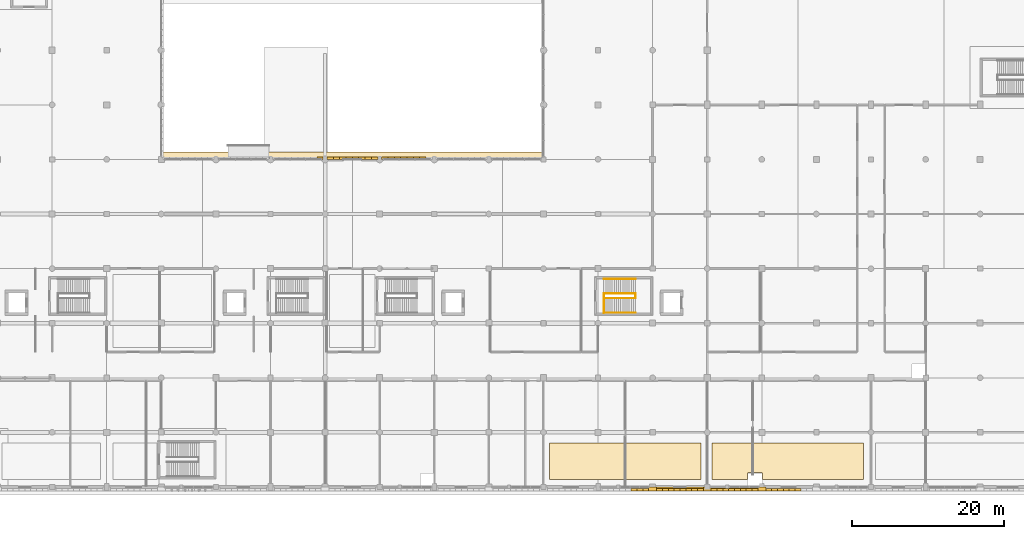
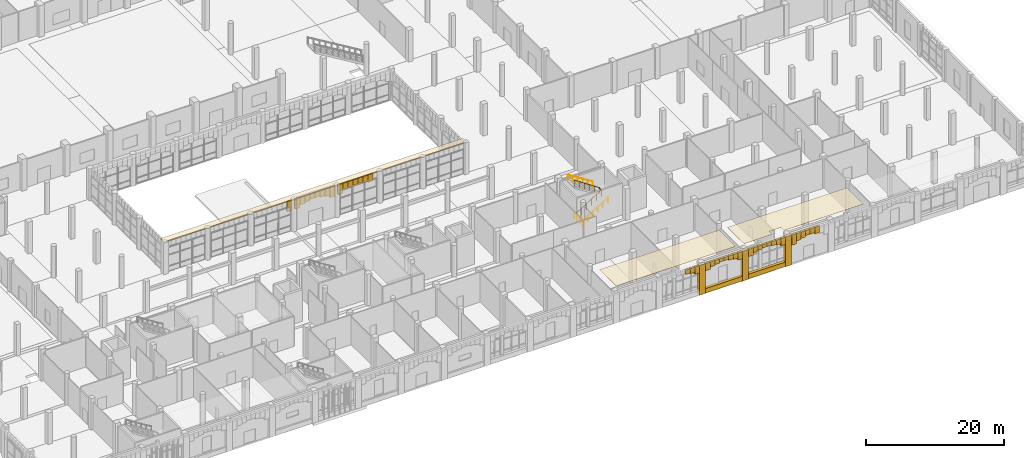
# One storey, part 73 of 85: 49 coverings, 4 railings.
"""IFC4 building model written with IfcOpenShell, lengths in metres."""

from ifc_helpers import new_model, si_unit, direction, frame, frame_2d, origin, origin_2d, place, context, subcontext, project, spatial, polyline, rectangle, circle, outline, extrude, material, layer, layer_set, type_object, element, save


model = new_model("IFC4")

# Units and contexts
model_context = context("Model", 3, precision=1e-05, world=origin(), true_north=direction((0.0, 1.0)))
body_context = subcontext(model_context, "Body", "Model", "MODEL_VIEW")
ifc_project = project(units=[si_unit("LENGTHUNIT", "METRE"), si_unit("AREAUNIT", "SQUARE_METRE"), si_unit("VOLUMEUNIT", "CUBIC_METRE"), si_unit("PLANEANGLEUNIT", "RADIAN"), si_unit("MASSUNIT", "GRAM", prefix="KILO")], contexts=[model_context])

# Site, building, storey
site_placement = place(None, origin())
site = spatial("IfcSite", under=ifc_project, at=site_placement, CompositionType="ELEMENT")
building_placement = place(site_placement, origin())
building = spatial("IfcBuilding", under=site, at=building_placement, Name="Sardonyx Promenade Sports Hall", CompositionType="ELEMENT")
storey_placement = place(building_placement, origin())
storey = spatial("IfcBuildingStorey", under=building, at=storey_placement, Name="L00", CompositionType="ELEMENT", Elevation=0.0)

# Coverings
ifc_material_1 = material(Name="Perforated acoustic mineral-fibre baffle ceiling", Category="other")
ifc_layer_1 = layer(ifc_material_1, 0.0400390625)
ifc_layer_set_1 = layer_set([ifc_layer_1], Name="Cov_Ceil_Acoustic")
covering_type_1 = type_object("IfcCoveringType", Name="Cov_Ceil_Acoustic", PredefinedType="CEILING", material=ifc_layer_set_1)
covering_1_placement = place(storey_placement, frame((0.0, 0.0, 5.280029296875)))
element("IfcCovering", 1, at=covering_1_placement, inside=storey, type_object=covering_type_1, Name="Acoustic baffle ceiling CLG1 L00 #3", PredefinedType="CEILING", context=body_context, shape_type="SweptSolid", body=[
    extrude(outline(polyline([(94.39990234375, 5.800048828125), (94.39990234375, 1.0), (114.39990234375, 1.0), (114.39990234375, 5.800048828125), (94.39990234375, 5.800048828125)])), origin(), (0.0, 0.0, 1.0), 0.0400390625),
])
covering_2_placement = place(storey_placement, frame((0.0, 0.0, 5.280029296875)))
element("IfcCovering", 2, at=covering_2_placement, inside=storey, type_object=covering_type_1, Name="Acoustic baffle ceiling CLG1 L00 #4", PredefinedType="CEILING", context=body_context, shape_type="SweptSolid", body=[
    extrude(outline(polyline([(115.800048828125, 5.800048828125), (115.800048828125, 1.0), (120.52001953125, 1.0), (120.52001953125, 1.7919921875), (120.520263671875, 1.798828125), (120.521484375, 1.8076171875), (120.523681640625, 1.816162109375), (120.52685546875, 1.824462890625), (120.530517578125, 1.83251953125), (120.53515625, 1.840087890625), (120.540283203125, 1.84716796875), (120.54638671875, 1.853759765625), (120.552734375, 1.859619140625), (120.559814453125, 1.864990234375), (120.5673828125, 1.869384765625), (120.575439453125, 1.873291015625), (120.583740234375, 1.876220703125), (120.59228515625, 1.87841796875), (120.601318359375, 1.879638671875), (120.60791015625, 1.8798828125), (122.39208984375, 1.8798828125), (122.398681640625, 1.879638671875), (122.40771484375, 1.87841796875), (122.416259765625, 1.876220703125), (122.424560546875, 1.873291015625), (122.4326171875, 1.869384765625), (122.440185546875, 1.864990234375), (122.447265625, 1.859619140625), (122.45361328125, 1.853759765625), (122.459716796875, 1.84716796875), (122.46484375, 1.840087890625), (122.469482421875, 1.83251953125), (122.47314453125, 1.824462890625), (122.476318359375, 1.816162109375), (122.478515625, 1.8076171875), (122.479736328125, 1.798828125), (122.47998046875, 1.7919921875), (122.47998046875, 1.0), (135.800048828125, 1.0), (135.800048828125, 5.800048828125), (115.800048828125, 5.800048828125)])), origin(), (0.0, 0.0, 1.0), 0.0400390625),
])
ifc_material_2 = material(Name="Dressed Cape red sandstone cornice", Category="masonry")
ifc_layer_2 = layer(ifc_material_2, 0.139892578125)
ifc_layer_set_2 = layer_set([ifc_layer_2], Name="Cov_Chhajja_Eave")
covering_type_2 = type_object("IfcCoveringType", Name="Cov_Chhajja_Eave", PredefinedType="MOLDING", material=ifc_layer_set_2)
covering_3_placement = place(storey_placement, frame((0.0, 0.0, 5.35009765625)))
element("IfcCovering", 3, at=covering_3_placement, inside=storey, type_object=covering_type_2, Name="Charbagh courtyard south chhajja eave L00", PredefinedType="MOLDING", context=body_context, shape_type="SweptSolid", body=[
    extrude(outline(polyline([(43.10009765625, 43.14990234375), (93.699951171875, 43.14990234375), (93.699951171875, 44.199951171875), (43.10009765625, 44.199951171875), (43.10009765625, 43.14990234375)])), origin(), (0.0, 0.0, 1.0), 0.179931640625),
])
ifc_material_3 = material(Name="Dressed Cape red sandstone ashlar", Category="masonry")
ifc_layer_3 = layer(ifc_material_3, 0.06005859375)
ifc_layer_set_3 = layer_set([ifc_layer_3], Name="Cov_Cladding_Sandstone")
covering_type_3 = type_object("IfcCoveringType", Name="Cov_Cladding_Sandstone", PredefinedType="CLADDING", material=ifc_layer_set_3)
covering_4_placement = place(storey_placement, origin())
element("IfcCovering", 4, at=covering_4_placement, inside=storey, type_object=covering_type_3, Name="South sandstone bay pier casing L00 #15", PredefinedType="CLADDING", context=body_context, shape_type="SweptSolid", body=[
    extrude(outline(polyline([(107.47998046875, -0.52001953125), (108.52001953125, -0.52001953125), (108.52001953125, 0.02001953125), (107.47998046875, 0.02001953125), (107.47998046875, -0.52001953125)])), origin(), (0.0, 0.0, 1.0), 5.25),
])
covering_5_placement = place(storey_placement, origin())
element("IfcCovering", 5, at=covering_5_placement, inside=storey, type_object=covering_type_3, Name="South sandstone bay pier casing L00 #16", PredefinedType="CLADDING", context=body_context, shape_type="SweptSolid", body=[
    extrude(outline(polyline([(114.679931640625, -0.52001953125), (115.719970703125, -0.52001953125), (115.719970703125, 0.02001953125), (114.679931640625, 0.02001953125), (114.679931640625, -0.52001953125)])), origin(), (0.0, 0.0, 1.0), 5.25),
])
covering_6_placement = place(storey_placement, origin())
element("IfcCovering", 6, at=covering_6_placement, inside=storey, type_object=covering_type_3, Name="South sandstone bay pier casing L00 #17", PredefinedType="CLADDING", context=body_context, shape_type="SweptSolid", body=[
    extrude(outline(polyline([(121.8798828125, -0.52001953125), (122.919921875, -0.52001953125), (122.919921875, 0.02001953125), (121.8798828125, 0.02001953125), (121.8798828125, -0.52001953125)])), origin(), (0.0, 0.0, 1.0), 5.25),
])
covering_7_placement = place(storey_placement, origin())
element("IfcCovering", 7, at=covering_7_placement, inside=storey, type_object=covering_type_3, Name="South sandstone sill spandrel L00 #6", PredefinedType="CLADDING", context=body_context, shape_type="SweptSolid", body=[
    extrude(outline(polyline([(115.719970703125, -0.4599609375), (121.8798828125, -0.4599609375), (121.8798828125, 0.02001953125), (115.719970703125, 0.02001953125), (115.719970703125, -0.4599609375)])), origin(), (0.0, 0.0, 1.0), 0.820068359375),
])
covering_8_placement = place(storey_placement, origin())
element("IfcCovering", 8, at=covering_8_placement, inside=storey, type_object=covering_type_3, Name="South sandstone sill spandrel L00 #7", PredefinedType="CLADDING", context=body_context, shape_type="SweptSolid", body=[
    extrude(outline(polyline([(108.52001953125, -0.4599609375), (114.679931640625, -0.4599609375), (114.679931640625, 0.02001953125), (108.52001953125, 0.02001953125), (108.52001953125, -0.4599609375)])), origin(), (0.0, 0.0, 1.0), 0.820068359375),
])
ifc_material_4 = material(Name="Carved Cape red sandstone ashlar", Category="masonry")
ifc_layer_4 = layer(ifc_material_4, 0.239990234375)
ifc_layer_set_4 = layer_set([ifc_layer_4], Name="Cov_Mughal_Arch")
covering_type_4 = type_object("IfcCoveringType", Name="Cov_Mughal_Arch", PredefinedType="CLADDING", material=ifc_layer_set_4)
covering_9_placement = place(storey_placement, frame((63.71240234375, 43.35009765625, 3.584716796875), z_axis=(0.0, 0.0, 1.0), x_axis=(1.0, 0.0, 0.0)))
element("IfcCovering", 9, at=covering_9_placement, inside=storey, type_object=covering_type_4, Name="Mughal pointed-arch spandrel L00 cov:rq:S:L00:2 #8", PredefinedType="CLADDING", context=body_context, shape_type="SweptSolid", body=[
    extrude(rectangle(XDim=0.837646484375, YDim=0.280029296875, at=frame_2d((0.4189453125, 0.0))), origin(), (0.0, 0.0, 1.0), 1.765380859375),
])
covering_10_placement = place(storey_placement, frame((65.050048828125, 43.35009765625, 3.584716796875), z_axis=(0.0, 0.0, 1.0), x_axis=(1.0, 0.0, 0.0)))
element("IfcCovering", 10, at=covering_10_placement, inside=storey, type_object=covering_type_4, Name="Mughal pointed-arch spandrel L00 cov:rq:S:L00:3 #1", PredefinedType="CLADDING", context=body_context, shape_type="SweptSolid", body=[
    extrude(rectangle(XDim=0.83740234375, YDim=0.280029296875, at=frame_2d((0.418701171875, 0.0))), origin(), (0.0, 0.0, 1.0), 1.765380859375),
])
covering_11_placement = place(storey_placement, frame((65.887451171875, 43.35009765625, 4.041748046875), z_axis=(0.0, 0.0, 1.0), x_axis=(1.0, 0.0, 0.0)))
element("IfcCovering", 11, at=covering_11_placement, inside=storey, type_object=covering_type_4, Name="Mughal pointed-arch spandrel L00 cov:rq:S:L00:3 #2", PredefinedType="CLADDING", context=body_context, shape_type="SweptSolid", body=[
    extrude(rectangle(XDim=0.837646484375, YDim=0.280029296875, at=frame_2d((0.4189453125, 0.0))), origin(), (0.0, 0.0, 1.0), 1.308349609375),
])
covering_12_placement = place(storey_placement, frame((66.72509765625, 43.35009765625, 4.212158203125), z_axis=(0.0, 0.0, 1.0), x_axis=(1.0, 0.0, 0.0)))
element("IfcCovering", 12, at=covering_12_placement, inside=storey, type_object=covering_type_4, Name="Mughal pointed-arch spandrel L00 cov:rq:S:L00:3 #3", PredefinedType="CLADDING", context=body_context, shape_type="SweptSolid", body=[
    extrude(rectangle(XDim=0.83740234375, YDim=0.280029296875, at=frame_2d((0.418701171875, 0.0))), origin(), (0.0, 0.0, 1.0), 1.137939453125),
])
covering_13_placement = place(storey_placement, frame((67.5625, 43.35009765625, 4.429931640625), z_axis=(0.0, 0.0, 1.0), x_axis=(1.0, 0.0, 0.0)))
element("IfcCovering", 13, at=covering_13_placement, inside=storey, type_object=covering_type_4, Name="Mughal pointed-arch spandrel L00 cov:rq:S:L00:3 #4", PredefinedType="CLADDING", context=body_context, shape_type="SweptSolid", body=[
    extrude(rectangle(XDim=0.83740234375, YDim=0.280029296875, at=frame_2d((0.418701171875, 0.0))), origin(), (0.0, 0.0, 1.0), 0.920166015625),
])
covering_14_placement = place(storey_placement, frame((68.39990234375, 43.35009765625, 4.429931640625), z_axis=(0.0, 0.0, 1.0), x_axis=(1.0, 0.0, 0.0)))
element("IfcCovering", 14, at=covering_14_placement, inside=storey, type_object=covering_type_4, Name="Mughal pointed-arch spandrel L00 cov:rq:S:L00:3 #5", PredefinedType="CLADDING", context=body_context, shape_type="SweptSolid", body=[
    extrude(rectangle(XDim=0.837646484375, YDim=0.280029296875, at=frame_2d((0.4189453125, 0.0))), origin(), (0.0, 0.0, 1.0), 0.920166015625),
])
covering_15_placement = place(storey_placement, frame((69.237548828125, 43.35009765625, 4.212158203125), z_axis=(0.0, 0.0, 1.0), x_axis=(1.0, 0.0, 0.0)))
element("IfcCovering", 15, at=covering_15_placement, inside=storey, type_object=covering_type_4, Name="Mughal pointed-arch spandrel L00 cov:rq:S:L00:3 #6", PredefinedType="CLADDING", context=body_context, shape_type="SweptSolid", body=[
    extrude(rectangle(XDim=0.83740234375, YDim=0.280029296875, at=frame_2d((0.418701171875, 0.0))), origin(), (0.0, 0.0, 1.0), 1.137939453125),
])
covering_16_placement = place(storey_placement, frame((70.074951171875, 43.35009765625, 4.041748046875), z_axis=(0.0, 0.0, 1.0), x_axis=(1.0, 0.0, 0.0)))
element("IfcCovering", 16, at=covering_16_placement, inside=storey, type_object=covering_type_4, Name="Mughal pointed-arch spandrel L00 cov:rq:S:L00:3 #7", PredefinedType="CLADDING", context=body_context, shape_type="SweptSolid", body=[
    extrude(rectangle(XDim=0.837646484375, YDim=0.280029296875, at=frame_2d((0.4189453125, 0.0))), origin(), (0.0, 0.0, 1.0), 1.308349609375),
])
for number, where, z_axis, x_axis, name in (
    (17, (70.91259765625, 43.35009765625, 3.584716796875), (0.0, 0.0, 1.0), (1.0, 0.0, 0.0), "Mughal pointed-arch spandrel L00 cov:rq:S:L00:3 #8"),
    (18, (72.25, 43.35009765625, 3.584716796875), (0.0, 0.0, 1.0), (1.0, 0.0, 0.0), "Mughal pointed-arch spandrel L00 cov:rq:S:L00:4 #1"),
):
    element("IfcCovering", number, at=place(storey_placement, frame(where, z_axis=z_axis, x_axis=x_axis)), inside=storey, type_object=covering_type_4, Name=name, PredefinedType="CLADDING", context=body_context, shape_type="SweptSolid", body=[
        extrude(rectangle(XDim=0.83740234375, YDim=0.280029296875, at=frame_2d((0.418701171875, 0.0))), origin(), (0.0, 0.0, 1.0), 1.765380859375),
    ])
covering_17_placement = place(storey_placement, frame((73.08740234375, 43.35009765625, 4.041748046875), z_axis=(0.0, 0.0, 1.0), x_axis=(1.0, 0.0, 0.0)))
element("IfcCovering", 19, at=covering_17_placement, inside=storey, type_object=covering_type_4, Name="Mughal pointed-arch spandrel L00 cov:rq:S:L00:4 #2", PredefinedType="CLADDING", context=body_context, shape_type="SweptSolid", body=[
    extrude(rectangle(XDim=0.837646484375, YDim=0.280029296875, at=frame_2d((0.4189453125, 0.0))), origin(), (0.0, 0.0, 1.0), 1.308349609375),
])
covering_18_placement = place(storey_placement, frame((73.925048828125, 43.35009765625, 4.212158203125), z_axis=(0.0, 0.0, 1.0), x_axis=(1.0, 0.0, 0.0)))
element("IfcCovering", 20, at=covering_18_placement, inside=storey, type_object=covering_type_4, Name="Mughal pointed-arch spandrel L00 cov:rq:S:L00:4 #3", PredefinedType="CLADDING", context=body_context, shape_type="SweptSolid", body=[
    extrude(rectangle(XDim=0.83740234375, YDim=0.280029296875, at=frame_2d((0.418701171875, 0.0))), origin(), (0.0, 0.0, 1.0), 1.137939453125),
])
covering_19_placement = place(storey_placement, frame((74.762451171875, 43.35009765625, 4.429931640625), z_axis=(0.0, 0.0, 1.0), x_axis=(1.0, 0.0, 0.0)))
element("IfcCovering", 21, at=covering_19_placement, inside=storey, type_object=covering_type_4, Name="Mughal pointed-arch spandrel L00 cov:rq:S:L00:4 #4", PredefinedType="CLADDING", context=body_context, shape_type="SweptSolid", body=[
    extrude(rectangle(XDim=0.837646484375, YDim=0.280029296875, at=frame_2d((0.4189453125, 0.0))), origin(), (0.0, 0.0, 1.0), 0.920166015625),
])
covering_20_placement = place(storey_placement, frame((75.60009765625, 43.35009765625, 4.429931640625), z_axis=(0.0, 0.0, 1.0), x_axis=(1.0, 0.0, 0.0)))
element("IfcCovering", 22, at=covering_20_placement, inside=storey, type_object=covering_type_4, Name="Mughal pointed-arch spandrel L00 cov:rq:S:L00:4 #5", PredefinedType="CLADDING", context=body_context, shape_type="SweptSolid", body=[
    extrude(rectangle(XDim=0.83740234375, YDim=0.280029296875, at=frame_2d((0.418701171875, 0.0))), origin(), (0.0, 0.0, 1.0), 0.920166015625),
])
covering_21_placement = place(storey_placement, frame((76.4375, 43.35009765625, 4.212158203125), z_axis=(0.0, 0.0, 1.0), x_axis=(1.0, 0.0, 0.0)))
element("IfcCovering", 23, at=covering_21_placement, inside=storey, type_object=covering_type_4, Name="Mughal pointed-arch spandrel L00 cov:rq:S:L00:4 #6", PredefinedType="CLADDING", context=body_context, shape_type="SweptSolid", body=[
    extrude(rectangle(XDim=0.83740234375, YDim=0.280029296875, at=frame_2d((0.418701171875, 0.0))), origin(), (0.0, 0.0, 1.0), 1.137939453125),
])
covering_22_placement = place(storey_placement, frame((77.27490234375, 43.35009765625, 4.041748046875), z_axis=(0.0, 0.0, 1.0), x_axis=(1.0, 0.0, 0.0)))
element("IfcCovering", 24, at=covering_22_placement, inside=storey, type_object=covering_type_4, Name="Mughal pointed-arch spandrel L00 cov:rq:S:L00:4 #7", PredefinedType="CLADDING", context=body_context, shape_type="SweptSolid", body=[
    extrude(rectangle(XDim=0.837646484375, YDim=0.280029296875, at=frame_2d((0.4189453125, 0.0))), origin(), (0.0, 0.0, 1.0), 1.308349609375),
])
covering_23_placement = place(storey_placement, frame((122.919921875, -0.360107421875, 3.463134765625), z_axis=(0.0, 0.0, 1.0), x_axis=(1.0, 0.0, 0.0)))
element("IfcCovering", 25, at=covering_23_placement, inside=storey, type_object=covering_type_4, Name="Mughal pointed-arch spandrel L00 cov:sdoorarch:05 #1", PredefinedType="CLADDING", context=body_context, shape_type="SweptSolid", body=[
    extrude(rectangle(XDim=0.77001953125, YDim=0.360107421875, at=frame_2d((0.385009765625, 0.0))), origin(), (0.0, 0.0, 1.0), 1.786865234375),
])
covering_24_placement = place(storey_placement, frame((123.68994140625, -0.360107421875, 3.9541015625), z_axis=(0.0, 0.0, 1.0), x_axis=(1.0, 0.0, 0.0)))
element("IfcCovering", 26, at=covering_24_placement, inside=storey, type_object=covering_type_4, Name="Mughal pointed-arch spandrel L00 cov:sdoorarch:05 #2", PredefinedType="CLADDING", context=body_context, shape_type="SweptSolid", body=[
    extrude(rectangle(XDim=0.77001953125, YDim=0.360107421875, at=frame_2d((0.385009765625, 0.0))), origin(), (0.0, 0.0, 1.0), 1.2958984375),
])
covering_25_placement = place(storey_placement, frame((124.4599609375, -0.360107421875, 4.13720703125), z_axis=(0.0, 0.0, 1.0), x_axis=(1.0, 0.0, 0.0)))
element("IfcCovering", 27, at=covering_25_placement, inside=storey, type_object=covering_type_4, Name="Mughal pointed-arch spandrel L00 cov:sdoorarch:05 #3", PredefinedType="CLADDING", context=body_context, shape_type="SweptSolid", body=[
    extrude(rectangle(XDim=0.77001953125, YDim=0.360107421875, at=frame_2d((0.385009765625, 0.0))), origin(), (0.0, 0.0, 1.0), 1.11279296875),
])
for number, where, z_axis, x_axis, name in (
    (28, (125.22998046875, -0.360107421875, 4.37109375), (0.0, 0.0, 1.0), (1.0, 0.0, 0.0), "Mughal pointed-arch spandrel L00 cov:sdoorarch:05 #4"),
    (29, (126.0, -0.360107421875, 4.37109375), (0.0, 0.0, 1.0), (1.0, 0.0, 0.0), "Mughal pointed-arch spandrel L00 cov:sdoorarch:05 #5"),
):
    element("IfcCovering", number, at=place(storey_placement, frame(where, z_axis=z_axis, x_axis=x_axis)), inside=storey, type_object=covering_type_4, Name=name, PredefinedType="CLADDING", context=body_context, shape_type="SweptSolid", body=[
        extrude(rectangle(XDim=0.77001953125, YDim=0.360107421875, at=frame_2d((0.385009765625, 0.0))), origin(), (0.0, 0.0, 1.0), 0.87890625),
    ])
covering_26_placement = place(storey_placement, frame((126.77001953125, -0.360107421875, 4.13720703125), z_axis=(0.0, 0.0, 1.0), x_axis=(1.0, 0.0, 0.0)))
element("IfcCovering", 30, at=covering_26_placement, inside=storey, type_object=covering_type_4, Name="Mughal pointed-arch spandrel L00 cov:sdoorarch:05 #6", PredefinedType="CLADDING", context=body_context, shape_type="SweptSolid", body=[
    extrude(rectangle(XDim=0.77001953125, YDim=0.360107421875, at=frame_2d((0.385009765625, 0.0))), origin(), (0.0, 0.0, 1.0), 1.11279296875),
])
covering_27_placement = place(storey_placement, frame((115.719970703125, -0.360107421875, 3.977783203125), z_axis=(0.0, 0.0, 1.0), x_axis=(1.0, 0.0, 0.0)))
element("IfcCovering", 31, at=covering_27_placement, inside=storey, type_object=covering_type_4, Name="Mughal pointed-arch spandrel L00 cov:sl00arch:06 #1", PredefinedType="CLADDING", context=body_context, shape_type="SweptSolid", body=[
    extrude(rectangle(XDim=0.77001953125, YDim=0.340087890625, at=frame_2d((0.385009765625, 0.0))), origin(), (0.0, 0.0, 1.0), 1.272216796875),
])
covering_28_placement = place(storey_placement, frame((116.489990234375, -0.360107421875, 4.3671875), z_axis=(0.0, 0.0, 1.0), x_axis=(1.0, 0.0, 0.0)))
element("IfcCovering", 32, at=covering_28_placement, inside=storey, type_object=covering_type_4, Name="Mughal pointed-arch spandrel L00 cov:sl00arch:06 #2", PredefinedType="CLADDING", context=body_context, shape_type="SweptSolid", body=[
    extrude(rectangle(XDim=0.77001953125, YDim=0.340087890625, at=frame_2d((0.385009765625, 0.0))), origin(), (0.0, 0.0, 1.0), 0.8828125),
])
covering_29_placement = place(storey_placement, frame((117.260009765625, -0.360107421875, 4.51220703125), z_axis=(0.0, 0.0, 1.0), x_axis=(1.0, 0.0, 0.0)))
element("IfcCovering", 33, at=covering_29_placement, inside=storey, type_object=covering_type_4, Name="Mughal pointed-arch spandrel L00 cov:sl00arch:06 #3", PredefinedType="CLADDING", context=body_context, shape_type="SweptSolid", body=[
    extrude(rectangle(XDim=0.77001953125, YDim=0.340087890625, at=frame_2d((0.385009765625, 0.0))), origin(), (0.0, 0.0, 1.0), 0.73779296875),
])
for number, where, z_axis, x_axis, name in (
    (34, (118.030029296875, -0.360107421875, 4.69775390625), (0.0, 0.0, 1.0), (1.0, 0.0, 0.0), "Mughal pointed-arch spandrel L00 cov:sl00arch:06 #4"),
    (35, (118.800048828125, -0.360107421875, 4.69775390625), (0.0, 0.0, 1.0), (1.0, 0.0, 0.0), "Mughal pointed-arch spandrel L00 cov:sl00arch:06 #5"),
):
    element("IfcCovering", number, at=place(storey_placement, frame(where, z_axis=z_axis, x_axis=x_axis)), inside=storey, type_object=covering_type_4, Name=name, PredefinedType="CLADDING", context=body_context, shape_type="SweptSolid", body=[
        extrude(rectangle(XDim=0.77001953125, YDim=0.340087890625, at=frame_2d((0.385009765625, 0.0))), origin(), (0.0, 0.0, 1.0), 0.55224609375),
    ])
covering_30_placement = place(storey_placement, frame((119.570068359375, -0.360107421875, 4.51220703125), z_axis=(0.0, 0.0, 1.0), x_axis=(1.0, 0.0, 0.0)))
element("IfcCovering", 36, at=covering_30_placement, inside=storey, type_object=covering_type_4, Name="Mughal pointed-arch spandrel L00 cov:sl00arch:06 #6", PredefinedType="CLADDING", context=body_context, shape_type="SweptSolid", body=[
    extrude(rectangle(XDim=0.77001953125, YDim=0.340087890625, at=frame_2d((0.385009765625, 0.0))), origin(), (0.0, 0.0, 1.0), 0.73779296875),
])
covering_31_placement = place(storey_placement, frame((120.340087890625, -0.360107421875, 4.3671875), z_axis=(0.0, 0.0, 1.0), x_axis=(1.0, 0.0, 0.0)))
element("IfcCovering", 37, at=covering_31_placement, inside=storey, type_object=covering_type_4, Name="Mughal pointed-arch spandrel L00 cov:sl00arch:06 #7", PredefinedType="CLADDING", context=body_context, shape_type="SweptSolid", body=[
    extrude(rectangle(XDim=0.77001953125, YDim=0.340087890625, at=frame_2d((0.385009765625, 0.0))), origin(), (0.0, 0.0, 1.0), 0.8828125),
])
covering_32_placement = place(storey_placement, frame((121.110107421875, -0.360107421875, 3.977783203125), z_axis=(0.0, 0.0, 1.0), x_axis=(1.0, 0.0, 0.0)))
element("IfcCovering", 38, at=covering_32_placement, inside=storey, type_object=covering_type_4, Name="Mughal pointed-arch spandrel L00 cov:sl00arch:06 #8", PredefinedType="CLADDING", context=body_context, shape_type="SweptSolid", body=[
    extrude(rectangle(XDim=0.769775390625, YDim=0.340087890625, at=frame_2d((0.384765625, 0.0))), origin(), (0.0, 0.0, 1.0), 1.272216796875),
])
covering_33_placement = place(storey_placement, frame((108.52001953125, -0.360107421875, 3.977783203125), z_axis=(0.0, 0.0, 1.0), x_axis=(1.0, 0.0, 0.0)))
element("IfcCovering", 39, at=covering_33_placement, inside=storey, type_object=covering_type_4, Name="Mughal pointed-arch spandrel L00 cov:sl00arch:07 #1", PredefinedType="CLADDING", context=body_context, shape_type="SweptSolid", body=[
    extrude(rectangle(XDim=0.77001953125, YDim=0.340087890625, at=frame_2d((0.385009765625, 0.0))), origin(), (0.0, 0.0, 1.0), 1.272216796875),
])
covering_34_placement = place(storey_placement, frame((109.2900390625, -0.360107421875, 4.3671875), z_axis=(0.0, 0.0, 1.0), x_axis=(1.0, 0.0, 0.0)))
element("IfcCovering", 40, at=covering_34_placement, inside=storey, type_object=covering_type_4, Name="Mughal pointed-arch spandrel L00 cov:sl00arch:07 #2", PredefinedType="CLADDING", context=body_context, shape_type="SweptSolid", body=[
    extrude(rectangle(XDim=0.77001953125, YDim=0.340087890625, at=frame_2d((0.385009765625, 0.0))), origin(), (0.0, 0.0, 1.0), 0.8828125),
])
covering_35_placement = place(storey_placement, frame((110.06005859375, -0.360107421875, 4.51220703125), z_axis=(0.0, 0.0, 1.0), x_axis=(1.0, 0.0, 0.0)))
element("IfcCovering", 41, at=covering_35_placement, inside=storey, type_object=covering_type_4, Name="Mughal pointed-arch spandrel L00 cov:sl00arch:07 #3", PredefinedType="CLADDING", context=body_context, shape_type="SweptSolid", body=[
    extrude(rectangle(XDim=0.77001953125, YDim=0.340087890625, at=frame_2d((0.385009765625, 0.0))), origin(), (0.0, 0.0, 1.0), 0.73779296875),
])
for number, where, z_axis, x_axis, name in (
    (42, (110.830078125, -0.360107421875, 4.69775390625), (0.0, 0.0, 1.0), (1.0, 0.0, 0.0), "Mughal pointed-arch spandrel L00 cov:sl00arch:07 #4"),
    (43, (111.60009765625, -0.360107421875, 4.69775390625), (0.0, 0.0, 1.0), (1.0, 0.0, 0.0), "Mughal pointed-arch spandrel L00 cov:sl00arch:07 #5"),
):
    element("IfcCovering", number, at=place(storey_placement, frame(where, z_axis=z_axis, x_axis=x_axis)), inside=storey, type_object=covering_type_4, Name=name, PredefinedType="CLADDING", context=body_context, shape_type="SweptSolid", body=[
        extrude(rectangle(XDim=0.77001953125, YDim=0.340087890625, at=frame_2d((0.385009765625, 0.0))), origin(), (0.0, 0.0, 1.0), 0.55224609375),
    ])
covering_36_placement = place(storey_placement, frame((112.3701171875, -0.360107421875, 4.51220703125), z_axis=(0.0, 0.0, 1.0), x_axis=(1.0, 0.0, 0.0)))
element("IfcCovering", 44, at=covering_36_placement, inside=storey, type_object=covering_type_4, Name="Mughal pointed-arch spandrel L00 cov:sl00arch:07 #6", PredefinedType="CLADDING", context=body_context, shape_type="SweptSolid", body=[
    extrude(rectangle(XDim=0.769775390625, YDim=0.340087890625, at=frame_2d((0.384765625, 0.0))), origin(), (0.0, 0.0, 1.0), 0.73779296875),
])
covering_37_placement = place(storey_placement, frame((113.139892578125, -0.360107421875, 4.3671875), z_axis=(0.0, 0.0, 1.0), x_axis=(1.0, 0.0, 0.0)))
element("IfcCovering", 45, at=covering_37_placement, inside=storey, type_object=covering_type_4, Name="Mughal pointed-arch spandrel L00 cov:sl00arch:07 #7", PredefinedType="CLADDING", context=body_context, shape_type="SweptSolid", body=[
    extrude(rectangle(XDim=0.77001953125, YDim=0.340087890625, at=frame_2d((0.385009765625, 0.0))), origin(), (0.0, 0.0, 1.0), 0.8828125),
])
covering_38_placement = place(storey_placement, frame((113.909912109375, -0.360107421875, 3.977783203125), z_axis=(0.0, 0.0, 1.0), x_axis=(1.0, 0.0, 0.0)))
element("IfcCovering", 46, at=covering_38_placement, inside=storey, type_object=covering_type_4, Name="Mughal pointed-arch spandrel L00 cov:sl00arch:07 #8", PredefinedType="CLADDING", context=body_context, shape_type="SweptSolid", body=[
    extrude(rectangle(XDim=0.77001953125, YDim=0.340087890625, at=frame_2d((0.385009765625, 0.0))), origin(), (0.0, 0.0, 1.0), 1.272216796875),
])
covering_39_placement = place(storey_placement, frame((105.169921875, -0.360107421875, 4.51220703125), z_axis=(0.0, 0.0, 1.0), x_axis=(1.0, 0.0, 0.0)))
element("IfcCovering", 47, at=covering_39_placement, inside=storey, type_object=covering_type_4, Name="Mughal pointed-arch spandrel L00 cov:sl00arch:08 #6", PredefinedType="CLADDING", context=body_context, shape_type="SweptSolid", body=[
    extrude(rectangle(XDim=0.77001953125, YDim=0.340087890625, at=frame_2d((0.385009765625, 0.0))), origin(), (0.0, 0.0, 1.0), 0.73779296875),
])
covering_40_placement = place(storey_placement, frame((105.93994140625, -0.360107421875, 4.3671875), z_axis=(0.0, 0.0, 1.0), x_axis=(1.0, 0.0, 0.0)))
element("IfcCovering", 48, at=covering_40_placement, inside=storey, type_object=covering_type_4, Name="Mughal pointed-arch spandrel L00 cov:sl00arch:08 #7", PredefinedType="CLADDING", context=body_context, shape_type="SweptSolid", body=[
    extrude(rectangle(XDim=0.77001953125, YDim=0.340087890625, at=frame_2d((0.385009765625, 0.0))), origin(), (0.0, 0.0, 1.0), 0.8828125),
])
covering_41_placement = place(storey_placement, frame((106.7099609375, -0.360107421875, 3.977783203125), z_axis=(0.0, 0.0, 1.0), x_axis=(1.0, 0.0, 0.0)))
element("IfcCovering", 49, at=covering_41_placement, inside=storey, type_object=covering_type_4, Name="Mughal pointed-arch spandrel L00 cov:sl00arch:08 #8", PredefinedType="CLADDING", context=body_context, shape_type="SweptSolid", body=[
    extrude(rectangle(XDim=0.77001953125, YDim=0.340087890625, at=frame_2d((0.385009765625, 0.0))), origin(), (0.0, 0.0, 1.0), 1.272216796875),
])

# Railings
ifc_material_5 = material(Name="Powder-coated Steel S355JR", Category="steel")
railing_type_1 = type_object("IfcRailingType", Name="Rail_Int_Guard_1100", PredefinedType="GUARDRAIL", material=ifc_material_5)
railing_1_placement = place(storey_placement, frame((101.56005859375, 22.945068359375, 0.0)))
element("IfcRailing", 50, at=railing_1_placement, inside=storey, type_object=railing_type_1, Name="Stair floor-edge guard ST2 L00", PredefinedType="GUARDRAIL", context=body_context, shape_type="SweptSolid", body=[
    extrude(circle(Radius=0.02392578125, at=origin_2d()), frame((0.0, 0.0, 1.09619140625), z_axis=(0.0, 1.0, 0.0), x_axis=(-1.0, 0.0, 0.0)), (0.0, 0.0, 1.0), 2.56982421875),
    extrude(circle(Radius=0.02392578125, at=origin_2d()), frame((0.0, 2.56982421875, 1.09619140625), z_axis=(-1.0, 0.0, 0.0), x_axis=(0.0, -1.0, 0.0)), (0.0, 0.0, 1.0), 0.010009765625),
    extrude(circle(Radius=0.02099609375, at=origin_2d()), origin(), (0.0, 0.0, 1.0), 1.072021484375),
    extrude(circle(Radius=0.02099609375, at=origin_2d()), frame((0.0, 0.856689453125, 0.0)), (0.0, 0.0, 1.0), 1.072021484375),
    extrude(circle(Radius=0.02099609375, at=origin_2d()), frame((0.0, 1.713134765625, 0.0)), (0.0, 0.0, 1.0), 1.072021484375),
    extrude(circle(Radius=0.02099609375, at=origin_2d()), frame((0.0, 2.56982421875, 0.0)), (0.0, 0.0, 1.0), 1.072021484375),
    extrude(circle(Radius=0.02099609375, at=origin_2d()), frame((-0.010009765625, 2.56982421875, 0.0)), (0.0, 0.0, 1.0), 1.072021484375),
])
railing_2_placement = place(storey_placement, frame((101.550048828125, 24.885009765625, 0.175048828125)))
element("IfcRailing", 51, at=railing_2_placement, inside=storey, type_object=railing_type_1, Name="Stair inner well guard ST2 L00", PredefinedType="GUARDRAIL", context=body_context, shape_type="SweptSolid", body=[
    extrude(circle(Radius=0.02392578125, at=origin_2d()), frame((0.0, 0.0, 1.09619140625), z_axis=(0.846854242419, 0.0, 0.531825057794), x_axis=(0.0, 1.0, 0.0)), (0.0, 0.0, 1.0), 4.935791015625),
    extrude(circle(Radius=0.02392578125, at=origin_2d()), frame((4.179931640625, 0.0, 3.72119140625), z_axis=(0.0, 1.0, 0.0), x_axis=(-1.0, 0.0, 0.0)), (0.0, 0.0, 1.0), 0.6298828125),
    extrude(circle(Radius=0.02392578125, at=origin_2d()), frame((4.179931640625, 0.6298828125, 3.72119140625), z_axis=(-0.830816424754, 0.0, 0.556546555429), x_axis=(0.0, -1.0, 0.0)), (0.0, 0.0, 1.0), 5.031005859375),
    extrude(circle(Radius=0.02099609375, at=origin_2d()), origin(), (0.0, 0.0, 1.0), 1.072021484375),
    extrude(circle(Radius=0.02099609375, at=origin_2d()), frame((0.8359375, 0.0, 0.52490234375)), (0.0, 0.0, 1.0), 1.072021484375),
    extrude(circle(Radius=0.02099609375, at=origin_2d()), frame((1.671875, 0.0, 1.050048828125)), (0.0, 0.0, 1.0), 1.072021484375),
    extrude(circle(Radius=0.02099609375, at=origin_2d()), frame((2.508056640625, 0.0, 1.574951171875)), (0.0, 0.0, 1.0), 1.072021484375),
    extrude(circle(Radius=0.02099609375, at=origin_2d()), frame((3.343994140625, 0.0, 2.10009765625)), (0.0, 0.0, 1.0), 1.072021484375),
    extrude(circle(Radius=0.02099609375, at=origin_2d()), frame((4.179931640625, 0.0, 2.625)), (0.0, 0.0, 1.0), 1.072021484375),
    extrude(circle(Radius=0.02099609375, at=origin_2d()), frame((4.179931640625, 0.6298828125, 2.625)), (0.0, 0.0, 1.0), 1.072021484375),
    extrude(circle(Radius=0.02099609375, at=origin_2d()), frame((3.343994140625, 0.6298828125, 3.18505859375)), (0.0, 0.0, 1.0), 1.072021484375),
    extrude(circle(Radius=0.02099609375, at=origin_2d()), frame((2.508056640625, 0.6298828125, 3.7451171875)), (0.0, 0.0, 1.0), 1.072021484375),
    extrude(circle(Radius=0.02099609375, at=origin_2d()), frame((1.671875, 0.6298828125, 4.304931640625)), (0.0, 0.0, 1.0), 1.072021484375),
    extrude(circle(Radius=0.02099609375, at=origin_2d()), frame((0.8359375, 0.6298828125, 4.864990234375)), (0.0, 0.0, 1.0), 1.072021484375),
    extrude(circle(Radius=0.02099609375, at=origin_2d()), frame((0.0, 0.6298828125, 5.425048828125)), (0.0, 0.0, 1.0), 1.072021484375),
])
ifc_material_6 = material(Name="Brushed stainless steel Grade 304", Category="steel")
railing_type_2 = type_object("IfcRailingType", Name="Rail_Int_Handrail_900", PredefinedType="HANDRAIL", material=ifc_material_6)
railing_3_placement = place(storey_placement, frame((101.550048828125, 22.97509765625, 0.175048828125)))
element("IfcRailing", 52, at=railing_3_placement, inside=storey, type_object=railing_type_2, Name="Stair handrail ST2 L00 F1", PredefinedType="HANDRAIL", context=body_context, shape_type="SweptSolid", body=[
    extrude(circle(Radius=0.02392578125, at=origin_2d()), frame((0.0, 0.0, 0.8759765625), z_axis=(0.847995534698, 0.0, 0.530003370869), x_axis=(0.0, 1.0, 0.0)), (0.0, 0.0, 1.0), 4.952880859375),
    extrude(circle(Radius=0.02099609375, at=origin_2d()), origin(), (0.0, 0.0, 1.0), 0.851806640625),
    extrude(circle(Radius=0.02099609375, at=origin_2d()), frame((0.840087890625, 0.0, 0.52490234375)), (0.0, 0.0, 1.0), 0.851806640625),
    extrude(circle(Radius=0.02099609375, at=origin_2d()), frame((1.679931640625, 0.0, 1.050048828125)), (0.0, 0.0, 1.0), 0.851806640625),
    extrude(circle(Radius=0.02099609375, at=origin_2d()), frame((2.52001953125, 0.0, 1.574951171875)), (0.0, 0.0, 1.0), 0.851806640625),
    extrude(circle(Radius=0.02099609375, at=origin_2d()), frame((3.35986328125, 0.0, 2.10009765625)), (0.0, 0.0, 1.0), 0.851806640625),
    extrude(circle(Radius=0.02099609375, at=origin_2d()), frame((4.199951171875, 0.0, 2.625)), (0.0, 0.0, 1.0), 0.851806640625),
])
railing_4_placement = place(storey_placement, frame((105.75, 27.425048828125, 2.97509765625)))
element("IfcRailing", 53, at=railing_4_placement, inside=storey, type_object=railing_type_2, Name="Stair handrail ST2 L00 F2", PredefinedType="HANDRAIL", context=body_context, shape_type="SweptSolid", body=[
    extrude(circle(Radius=0.02392578125, at=origin_2d()), frame((0.0, 0.0, 0.8759765625), z_axis=(-0.847995534698, 0.0, 0.530003370869), x_axis=(0.0, -1.0, 0.0)), (0.0, 0.0, 1.0), 4.952880859375),
    extrude(circle(Radius=0.02099609375, at=origin_2d()), origin(), (0.0, 0.0, 1.0), 0.851806640625),
    extrude(circle(Radius=0.02099609375, at=origin_2d()), frame((-0.840087890625, 0.0, 0.52490234375)), (0.0, 0.0, 1.0), 0.851806640625),
    extrude(circle(Radius=0.02099609375, at=origin_2d()), frame((-1.679931640625, 0.0, 1.050048828125)), (0.0, 0.0, 1.0), 0.851806640625),
    extrude(circle(Radius=0.02099609375, at=origin_2d()), frame((-2.52001953125, 0.0, 1.574951171875)), (0.0, 0.0, 1.0), 0.851806640625),
    extrude(circle(Radius=0.02099609375, at=origin_2d()), frame((-3.35986328125, 0.0, 2.10009765625)), (0.0, 0.0, 1.0), 0.851806640625),
    extrude(circle(Radius=0.02099609375, at=origin_2d()), frame((-4.199951171875, 0.0, 2.625)), (0.0, 0.0, 1.0), 0.851806640625),
])

save(model, "model.ifc")
